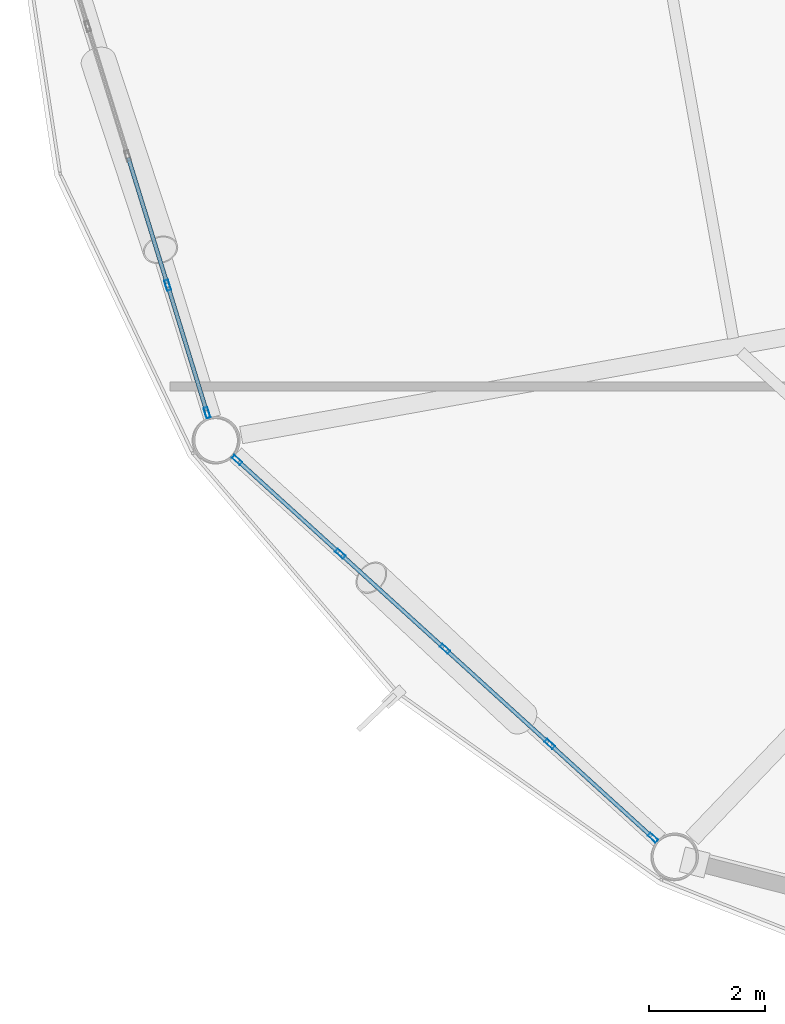
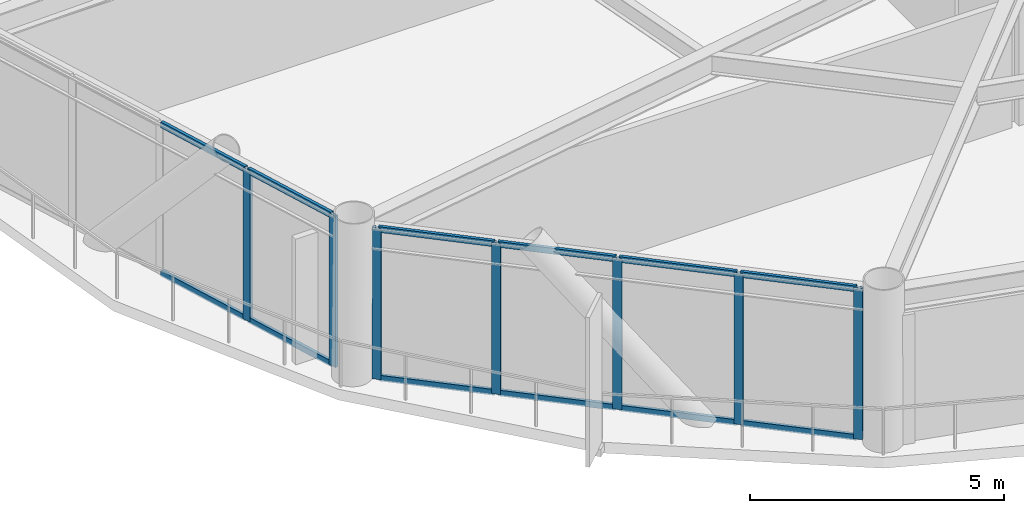
# One storey, part 2 of 25: 19 members, 2 elements without a shape of their own.
"""IFC4 building model written with IfcOpenShell, lengths in metres."""

from ifc_helpers import new_model, si_unit, direction, frame, origin, origin_2d, place, context, subcontext, project, spatial, hollow_rectangle, extrude, material, layer, layer_set, material_profile, profile_set, type_object, element, aggregate, save


model = new_model("IFC4")

# Units and contexts
model_context = context("Model", 3, precision=1e-05, world=origin(), true_north=direction((0.0, 1.0)))
body_context = subcontext(model_context, "Body", "Model", "MODEL_VIEW")
ifc_project = project(units=[si_unit("LENGTHUNIT", "METRE"), si_unit("AREAUNIT", "SQUARE_METRE"), si_unit("VOLUMEUNIT", "CUBIC_METRE"), si_unit("PLANEANGLEUNIT", "RADIAN"), si_unit("MASSUNIT", "GRAM", prefix="KILO")], contexts=[model_context])

# Site, building, storey
site_placement = place(None, origin())
site = spatial("IfcSite", under=ifc_project, at=site_placement, CompositionType="ELEMENT")
building_placement = place(site_placement, origin())
building = spatial("IfcBuilding", under=site, at=building_placement, Name="Varnakorn Sky Granary", CompositionType="ELEMENT")
storey_placement = place(building_placement, frame((0.0, 0.0, 91.5)))
storey = spatial("IfcBuildingStorey", under=building, at=storey_placement, Name="L22", CompositionType="ELEMENT", Elevation=91.5)

# Curtain wall, members
ifc_material = material(Name="Anodised Bronze Aluminium Alloy 6063-T6", Category="aluminium")
ifc_layer = layer(ifc_material, 0.18994140625, Name="Anodised Bronze Aluminium Alloy 6063-T6")
ifc_layer_set = layer_set([ifc_layer], Name="Anodised Bronze Aluminium Alloy 6063-T6")
curtain_wall_type = type_object("IfcCurtainWallType", Name="CW-FRM-1", PredefinedType="USERDEFINED", material=ifc_layer_set)
curtain_wall_1_placement = place(storey_placement, origin())
curtain_wall_1 = element("IfcCurtainWall", 1, at=curtain_wall_1_placement, inside=storey, type_object=curtain_wall_type, Name="Unitised Curtain Wall CW3 CW-L22-B07", ObjectType="CURTAIN WALL", PredefinedType="USERDEFINED")
ifc_material_profile_1 = material_profile(ifc_material, hollow_rectangle(XDim=0.070068359375, YDim=0.18505859375, WallThickness=0.00390625, at=origin_2d()), Name="ALU MULL 70x185")
ifc_profile_set_1 = profile_set([ifc_material_profile_1], Name="Anodised Bronze Aluminium Alloy 6063-T6")
member_type_1 = type_object("IfcMemberType", Name="CW-FRM-1-MULL", PredefinedType="MULLION", material=ifc_profile_set_1)
member_1_placement = place(storey_placement, frame((-20.3955078125, -9.354248046875, 0.0), z_axis=(0.0, 0.0, 1.0), x_axis=(-0.955517788397, -0.294933477341, 0.0)))
member_1 = element("IfcMember", 2, at=member_1_placement, type_object=member_type_1, Name="CW3 mullion 1", PredefinedType="MULLION", context=body_context, shape_type="SweptSolid", body=[
    extrude(hollow_rectangle(XDim=0.070068359375, YDim=0.18505859375, WallThickness=0.00390625, at=origin_2d()), origin(), (0.0, 0.0, 1.0), 3.639892578125),
])
member_2_placement = place(storey_placement, frame((-21.075439453125, -7.15234375, 0.0), z_axis=(0.0, 0.0, 1.0), x_axis=(-0.955517788397, -0.294933477341, 0.0)))
member_2 = element("IfcMember", 3, at=member_2_placement, type_object=member_type_1, Name="CW3 mullion 2", PredefinedType="MULLION", context=body_context, shape_type="SweptSolid", body=[
    extrude(hollow_rectangle(XDim=0.070068359375, YDim=0.18505859375, WallThickness=0.00390625, at=origin_2d()), origin(), (0.0, 0.0, 1.0), 3.639892578125),
])

curtain_wall_2_placement = place(storey_placement, origin())
curtain_wall_2 = element("IfcCurtainWall", 4, at=curtain_wall_2_placement, inside=storey, type_object=curtain_wall_type, Name="Unitised Curtain Wall CW3 CW-L22-B08", ObjectType="CURTAIN WALL", PredefinedType="USERDEFINED")
member_3_placement = place(storey_placement, frame((-12.6953125, -16.69482421875, 0.0), z_axis=(0.0, 0.0, 1.0), x_axis=(-0.672429296104, -0.740161361962, 0.0)))
member_3 = element("IfcMember", 5, at=member_3_placement, type_object=member_type_1, Name="CW3 mullion 1", PredefinedType="MULLION", context=body_context, shape_type="SweptSolid", body=[
    extrude(hollow_rectangle(XDim=0.070068359375, YDim=0.18505859375, WallThickness=0.00390625, at=origin_2d()), origin(), (0.0, 0.0, 1.0), 3.639892578125),
])
member_4_placement = place(storey_placement, frame((-14.4775390625, -15.07568359375, 0.0), z_axis=(0.0, 0.0, 1.0), x_axis=(-0.672429296104, -0.740161361962, 0.0)))
member_4 = element("IfcMember", 6, at=member_4_placement, type_object=member_type_1, Name="CW3 mullion 2", PredefinedType="MULLION", context=body_context, shape_type="SweptSolid", body=[
    extrude(hollow_rectangle(XDim=0.070068359375, YDim=0.18505859375, WallThickness=0.00390625, at=origin_2d()), origin(), (0.0, 0.0, 1.0), 3.639892578125),
])
member_5_placement = place(storey_placement, frame((-16.285888671875, -13.432861328125, 0.0), z_axis=(0.0, 0.0, 1.0), x_axis=(-0.672429296104, -0.740161361962, 0.0)))
member_5 = element("IfcMember", 7, at=member_5_placement, type_object=member_type_1, Name="CW3 mullion 3", PredefinedType="MULLION", context=body_context, shape_type="SweptSolid", body=[
    extrude(hollow_rectangle(XDim=0.070068359375, YDim=0.18505859375, WallThickness=0.00390625, at=origin_2d()), origin(), (0.0, 0.0, 1.0), 3.639892578125),
])
member_6_placement = place(storey_placement, frame((-18.09423828125, -11.7900390625, 0.0), z_axis=(0.0, 0.0, 1.0), x_axis=(-0.672429296104, -0.740161361962, 0.0)))
member_6 = element("IfcMember", 8, at=member_6_placement, type_object=member_type_1, Name="CW3 mullion 4", PredefinedType="MULLION", context=body_context, shape_type="SweptSolid", body=[
    extrude(hollow_rectangle(XDim=0.070068359375, YDim=0.18505859375, WallThickness=0.00390625, at=origin_2d()), origin(), (0.0, 0.0, 1.0), 3.639892578125),
])
member_7_placement = place(storey_placement, frame((-19.87646484375, -10.170654296875, 0.0), z_axis=(0.0, 0.0, 1.0), x_axis=(-0.672429296104, -0.740161361962, 0.0)))
member_7 = element("IfcMember", 9, at=member_7_placement, type_object=member_type_1, Name="CW3 mullion 5", PredefinedType="MULLION", context=body_context, shape_type="SweptSolid", body=[
    extrude(hollow_rectangle(XDim=0.070068359375, YDim=0.18505859375, WallThickness=0.00390625, at=origin_2d()), origin(), (0.0, 0.0, 1.0), 3.639892578125),
])

# Member
ifc_material_profile_2 = material_profile(ifc_material, hollow_rectangle(XDim=0.070068359375, YDim=0.139892578125, WallThickness=0.00341796875, at=origin_2d()), Name="ALU TRAN 70x140")
ifc_profile_set_2 = profile_set([ifc_material_profile_2], Name="Anodised Bronze Aluminium Alloy 6063-T6")
member_type_2 = type_object("IfcMemberType", Name="CW-FRM-1-TRAN", PredefinedType="USERDEFINED", material=ifc_profile_set_2)
member_8_placement = place(storey_placement, frame((-20.406005859375, -9.32080078125, 0.034912109375), z_axis=(-0.29490729783, 0.955525868664, 0.0), x_axis=(-0.955525868664, -0.29490729783, 0.0)))
member_8 = element("IfcMember", 10, at=member_8_placement, type_object=member_type_2, Name="CW3 transom 1.1", ObjectType="TRANSOM", PredefinedType="USERDEFINED", context=body_context, shape_type="SweptSolid", body=[
    extrude(hollow_rectangle(XDim=0.070068359375, YDim=0.139892578125, WallThickness=0.00341796875, at=origin_2d()), origin(), (0.0, 0.0, 1.0), 2.234375),
])

member_9_placement = place(storey_placement, frame((-20.406005859375, -9.32080078125, 3.60498046875), z_axis=(-0.29490729783, 0.955525868664, 0.0), x_axis=(-0.955525868664, -0.29490729783, 0.0)))
member_9 = element("IfcMember", 11, at=member_9_placement, type_object=member_type_2, Name="CW3 transom 1.2", ObjectType="TRANSOM", PredefinedType="USERDEFINED", context=body_context, shape_type="SweptSolid", body=[
    extrude(hollow_rectangle(XDim=0.070068359375, YDim=0.139892578125, WallThickness=0.00341796875, at=origin_2d()), origin(), (0.0, 0.0, 1.0), 2.234375),
])

member_10_placement = place(storey_placement, frame((-21.085693359375, -7.118896484375, 0.034912109375), z_axis=(-0.294947424438, 0.955513483326, 0.0), x_axis=(-0.955513483326, -0.294947424438, 0.0)))
member_10 = element("IfcMember", 12, at=member_10_placement, type_object=member_type_2, Name="CW3 transom 2.1", ObjectType="TRANSOM", PredefinedType="USERDEFINED", context=body_context, shape_type="SweptSolid", body=[
    extrude(hollow_rectangle(XDim=0.070068359375, YDim=0.139892578125, WallThickness=0.00341796875, at=origin_2d()), origin(), (0.0, 0.0, 1.0), 2.269775390625),
])

member_11_placement = place(storey_placement, frame((-21.085693359375, -7.118896484375, 3.60498046875), z_axis=(-0.294947424438, 0.955513483326, 0.0), x_axis=(-0.955513483326, -0.294947424438, 0.0)))
member_11 = element("IfcMember", 13, at=member_11_placement, type_object=member_type_2, Name="CW3 transom 2.2", ObjectType="TRANSOM", PredefinedType="USERDEFINED", context=body_context, shape_type="SweptSolid", body=[
    extrude(hollow_rectangle(XDim=0.070068359375, YDim=0.139892578125, WallThickness=0.00341796875, at=origin_2d()), origin(), (0.0, 0.0, 1.0), 2.269775390625),
])

aggregate(curtain_wall_1, [member_1, member_2, member_8, member_9, member_10, member_11])

member_12_placement = place(storey_placement, frame((-12.72119140625, -16.67138671875, 0.034912109375), z_axis=(-0.740129039686, 0.672464872401, 0.0), x_axis=(-0.672464872401, -0.740129039686, 0.0)))
member_12 = element("IfcMember", 14, at=member_12_placement, type_object=member_type_2, Name="CW3 transom 1.1", ObjectType="TRANSOM", PredefinedType="USERDEFINED", context=body_context, shape_type="SweptSolid", body=[
    extrude(hollow_rectangle(XDim=0.070068359375, YDim=0.139892578125, WallThickness=0.00341796875, at=origin_2d()), origin(), (0.0, 0.0, 1.0), 2.338134765625),
])

member_13_placement = place(storey_placement, frame((-12.72119140625, -16.67138671875, 3.60498046875), z_axis=(-0.740129039686, 0.672464872401, 0.0), x_axis=(-0.672464872401, -0.740129039686, 0.0)))
member_13 = element("IfcMember", 15, at=member_13_placement, type_object=member_type_2, Name="CW3 transom 1.2", ObjectType="TRANSOM", PredefinedType="USERDEFINED", context=body_context, shape_type="SweptSolid", body=[
    extrude(hollow_rectangle(XDim=0.070068359375, YDim=0.139892578125, WallThickness=0.00341796875, at=origin_2d()), origin(), (0.0, 0.0, 1.0), 2.338134765625),
])

member_14_placement = place(storey_placement, frame((-14.50341796875, -15.052001953125, 0.034912109375), z_axis=(-0.740191392469, 0.672396239218, 0.0), x_axis=(-0.672396239218, -0.740191392469, 0.0)))
member_14 = element("IfcMember", 16, at=member_14_placement, type_object=member_type_2, Name="CW3 transom 2.1", ObjectType="TRANSOM", PredefinedType="USERDEFINED", context=body_context, shape_type="SweptSolid", body=[
    extrude(hollow_rectangle(XDim=0.070068359375, YDim=0.139892578125, WallThickness=0.00341796875, at=origin_2d()), origin(), (0.0, 0.0, 1.0), 2.373046875),
])

member_15_placement = place(storey_placement, frame((-14.50341796875, -15.052001953125, 3.60498046875), z_axis=(-0.740191392469, 0.672396239218, 0.0), x_axis=(-0.672396239218, -0.740191392469, 0.0)))
member_15 = element("IfcMember", 17, at=member_15_placement, type_object=member_type_2, Name="CW3 transom 2.2", ObjectType="TRANSOM", PredefinedType="USERDEFINED", context=body_context, shape_type="SweptSolid", body=[
    extrude(hollow_rectangle(XDim=0.070068359375, YDim=0.139892578125, WallThickness=0.00341796875, at=origin_2d()), origin(), (0.0, 0.0, 1.0), 2.373046875),
])

member_16_placement = place(storey_placement, frame((-16.311767578125, -13.4091796875, 0.034912109375), z_axis=(-0.740144875288, 0.672447442991, 0.0), x_axis=(-0.672447442991, -0.740144875288, 0.0)))
member_16 = element("IfcMember", 18, at=member_16_placement, type_object=member_type_2, Name="CW3 transom 3.1", ObjectType="TRANSOM", PredefinedType="USERDEFINED", context=body_context, shape_type="SweptSolid", body=[
    extrude(hollow_rectangle(XDim=0.070068359375, YDim=0.139892578125, WallThickness=0.00341796875, at=origin_2d()), origin(), (0.0, 0.0, 1.0), 2.373046875),
])

member_17_placement = place(storey_placement, frame((-16.311767578125, -13.4091796875, 3.60498046875), z_axis=(-0.740144875288, 0.672447442991, 0.0), x_axis=(-0.672447442991, -0.740144875288, 0.0)))
member_17 = element("IfcMember", 19, at=member_17_placement, type_object=member_type_2, Name="CW3 transom 3.2", ObjectType="TRANSOM", PredefinedType="USERDEFINED", context=body_context, shape_type="SweptSolid", body=[
    extrude(hollow_rectangle(XDim=0.070068359375, YDim=0.139892578125, WallThickness=0.00341796875, at=origin_2d()), origin(), (0.0, 0.0, 1.0), 2.373046875),
])

member_18_placement = place(storey_placement, frame((-18.1201171875, -11.766357421875, 0.034912109375), z_axis=(-0.74018101209, 0.672407666034, 0.0), x_axis=(-0.672407666034, -0.74018101209, 0.0)))
member_18 = element("IfcMember", 20, at=member_18_placement, type_object=member_type_2, Name="CW3 transom 4.1", ObjectType="TRANSOM", PredefinedType="USERDEFINED", context=body_context, shape_type="SweptSolid", body=[
    extrude(hollow_rectangle(XDim=0.070068359375, YDim=0.139892578125, WallThickness=0.00341796875, at=origin_2d()), origin(), (0.0, 0.0, 1.0), 2.337890625),
])

member_19_placement = place(storey_placement, frame((-18.1201171875, -11.766357421875, 3.60498046875), z_axis=(-0.74018101209, 0.672407666034, 0.0), x_axis=(-0.672407666034, -0.74018101209, 0.0)))
member_19 = element("IfcMember", 21, at=member_19_placement, type_object=member_type_2, Name="CW3 transom 4.2", ObjectType="TRANSOM", PredefinedType="USERDEFINED", context=body_context, shape_type="SweptSolid", body=[
    extrude(hollow_rectangle(XDim=0.070068359375, YDim=0.139892578125, WallThickness=0.00341796875, at=origin_2d()), origin(), (0.0, 0.0, 1.0), 2.337890625),
])

aggregate(curtain_wall_2, [member_3, member_4, member_5, member_6, member_7, member_12, member_13, member_14, member_15, member_16, member_17, member_18, member_19])

save(model, "model.ifc")
